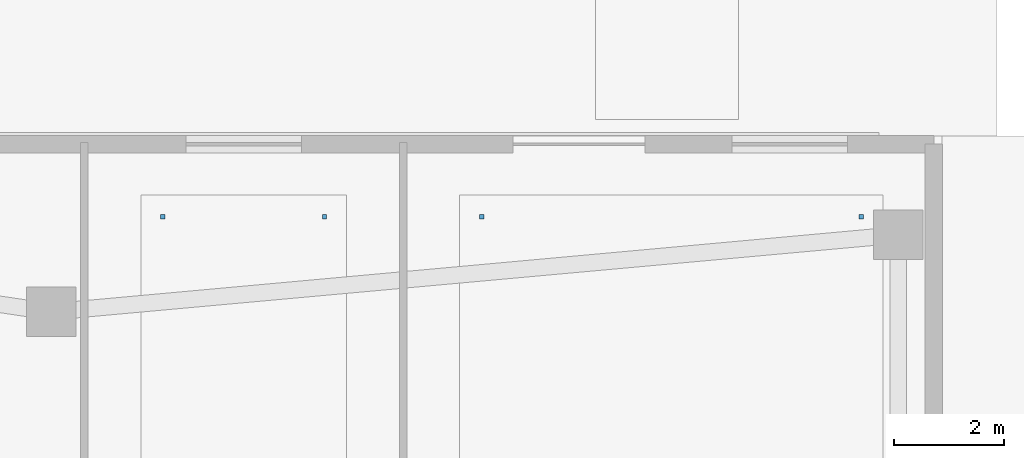
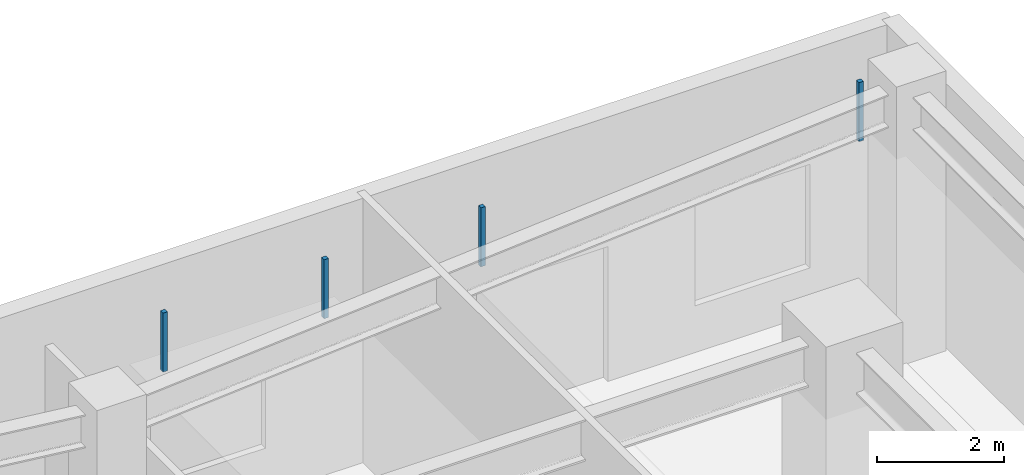
# One storey, part 12 of 18: 4 discrete accessories.
"""IFC4 building model written with IfcOpenShell, lengths in metres."""

from ifc_helpers import new_model, si_unit, direction, frame, origin, origin_2d, place, context, subcontext, project, spatial, rectangle, extrude, material, type_object, element, save


model = new_model("IFC4")

# Units and contexts
model_context = context("Model", 3, precision=1e-05, world=origin(), true_north=direction((0.0, 1.0)))
body_context = subcontext(model_context, "Body", "Model", "MODEL_VIEW")
ifc_project = project(units=[si_unit("LENGTHUNIT", "METRE"), si_unit("AREAUNIT", "SQUARE_METRE"), si_unit("VOLUMEUNIT", "CUBIC_METRE"), si_unit("PLANEANGLEUNIT", "RADIAN"), si_unit("MASSUNIT", "GRAM", prefix="KILO")], contexts=[model_context])

# Site, building, storey
site_placement = place(None, origin())
site = spatial("IfcSite", under=ifc_project, at=site_placement, CompositionType="ELEMENT")
building_placement = place(site_placement, origin())
building = spatial("IfcBuilding", under=site, at=building_placement, Name="Tarnavaz Court Tower", CompositionType="ELEMENT")
storey_placement = place(building_placement, origin())
storey = spatial("IfcBuildingStorey", under=building, at=storey_placement, Name="L00", CompositionType="ELEMENT", Elevation=0.0)

# Discrete accessories
ifc_material = material(Name="Anodised Aluminium 6063-T6", Category="aluminium")
discrete_accessory_type = type_object("IfcDiscreteAccessoryType", Name="DA-BRKT-ALU", PredefinedType="BRACKET", material=ifc_material)
for number, where, z_axis, x_axis, name in (
    (1, (21.77001953125, 28.530029296875, 3.990234375), (0.0, 0.0, 1.0), (1.0, 0.0, 0.0), "L00 Ceiling Suspension Hanger Bracket 03-3"),
    (2, (18.830078125, 28.530029296875, 3.990234375), (0.0, 0.0, 1.0), (1.0, 0.0, 0.0), "L00 Ceiling Suspension Hanger Bracket 03-4"),
    (3, (31.530029296875, 28.530029296875, 3.990234375), (0.0, 0.0, 1.0), (1.0, 0.0, 0.0), "L00 Ceiling Suspension Hanger Bracket 04-3"),
    (4, (24.6298828125, 28.530029296875, 3.990234375), (0.0, 0.0, 1.0), (1.0, 0.0, 0.0), "L00 Ceiling Suspension Hanger Bracket 04-4"),
):
    element("IfcDiscreteAccessory", number, at=place(storey_placement, frame(where, z_axis=z_axis, x_axis=x_axis)), inside=storey, type_object=discrete_accessory_type, Name=name, PredefinedType="BRACKET", context=body_context, shape_type="SweptSolid", body=[
        extrude(rectangle(XDim=0.080078125, YDim=0.080078125, at=origin_2d()), origin(), (0.0, 0.0, 1.0), 1.139892578125),
    ])

save(model, "model.ifc")
